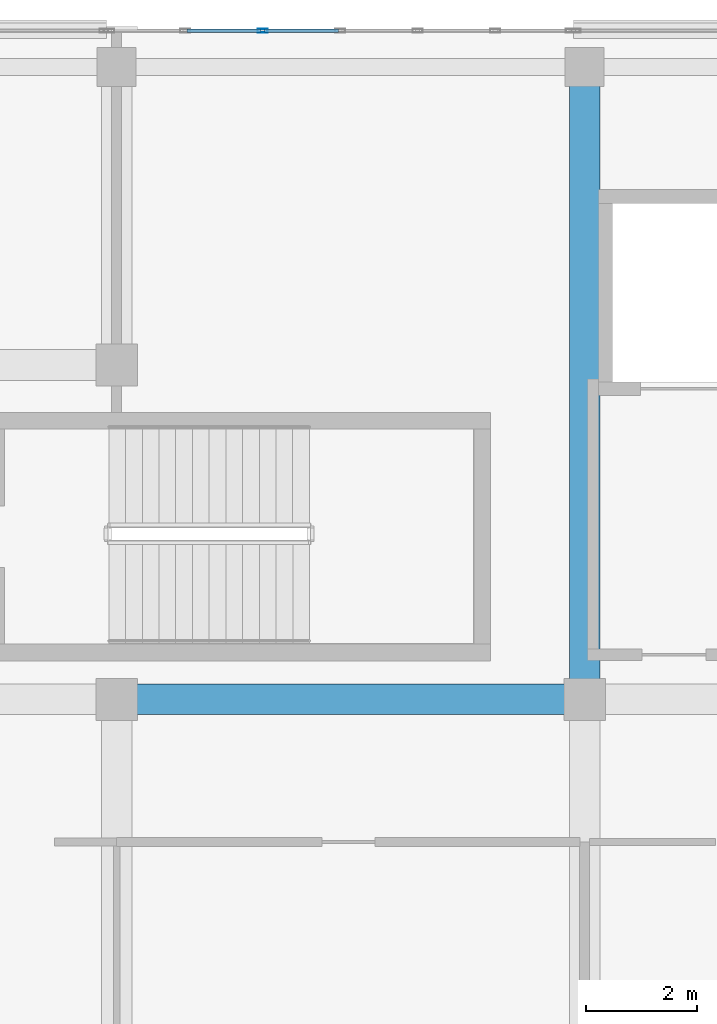
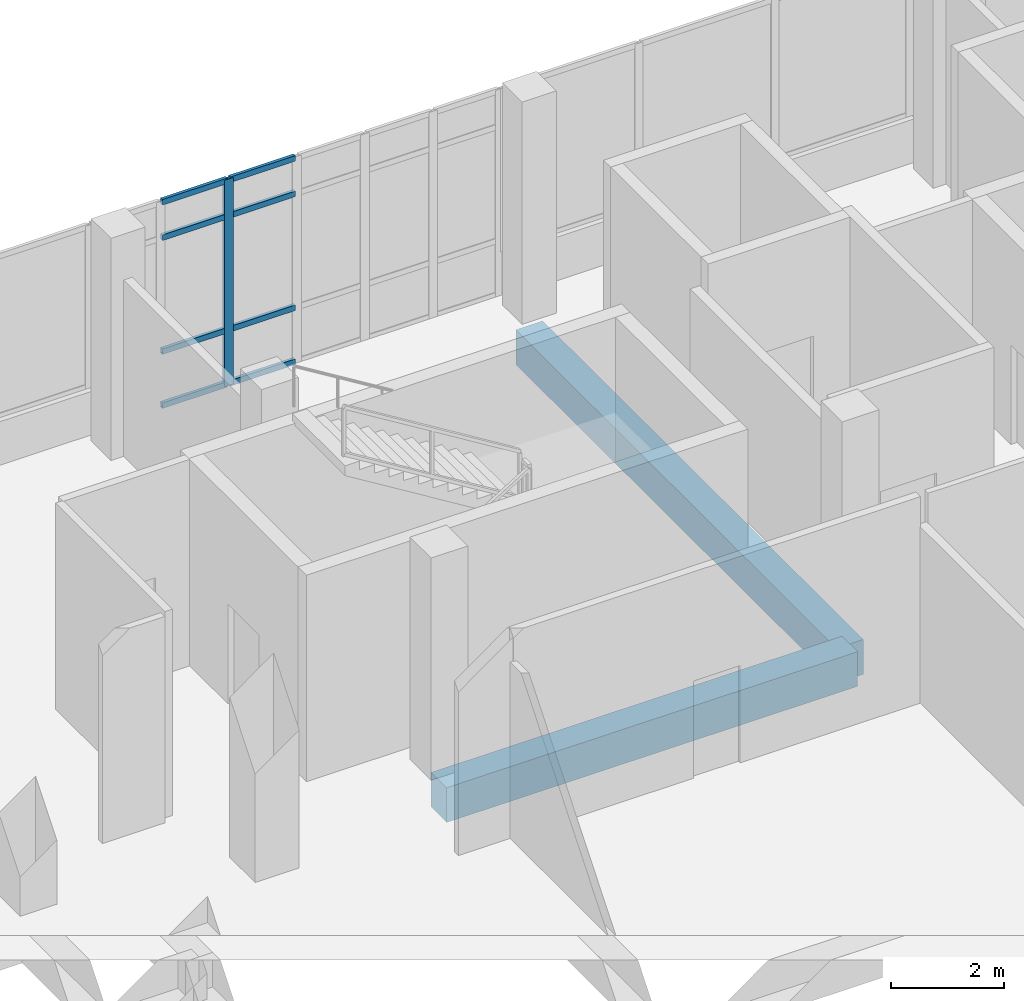
# One storey, part 83 of 155: 9 members, 2 beams, 1 element without a shape of its own.
"""IFC4 building model written with IfcOpenShell, lengths in metres."""

from ifc_helpers import new_model, si_unit, direction, frame, origin, origin_2d, place, context, subcontext, project, spatial, rectangle, hollow_rectangle, extrude, material, material_profile, profile_set, type_object, element, aggregate, save


model = new_model("IFC4")

# Units and contexts
model_context = context("Model", 3, precision=1e-05, world=origin(), true_north=direction((0.0, 1.0)))
body_context = subcontext(model_context, "Body", "Model", "MODEL_VIEW")
ifc_project = project(units=[si_unit("LENGTHUNIT", "METRE"), si_unit("AREAUNIT", "SQUARE_METRE"), si_unit("VOLUMEUNIT", "CUBIC_METRE"), si_unit("PLANEANGLEUNIT", "RADIAN"), si_unit("MASSUNIT", "GRAM", prefix="KILO")], contexts=[model_context])

# Site, building, storey
site_placement = place(None, origin())
site = spatial("IfcSite", under=ifc_project, at=site_placement, CompositionType="ELEMENT")
building_placement = place(site_placement, origin())
building = spatial("IfcBuilding", under=site, at=building_placement, Name="Selatvlak General Hospital", CompositionType="ELEMENT")
storey_placement = place(building_placement, frame((0.0, 0.0, 10.199951171875)))
storey = spatial("IfcBuildingStorey", under=building, at=storey_placement, Name="L02", CompositionType="ELEMENT", Elevation=10.199951171875)

# Beams
ifc_material_1 = material(Name="Concrete C40/50", Category="concrete")
ifc_material_profile_1 = material_profile(ifc_material_1, rectangle(XDim=0.550048828125, YDim=0.75, at=origin_2d()), Name="RC-BM 550x750")
ifc_profile_set_1 = profile_set([ifc_material_profile_1], Name="Concrete C40/50")
beam_type = type_object("IfcBeamType", Name="BM-G02", PredefinedType="BEAM", material=ifc_profile_set_1)
beam_1_placement = place(storey_placement, frame((90.0, 108.0, -0.72998046875), z_axis=(1.0, 0.0, 0.0), x_axis=(0.0, 1.0, 0.0)))
element("IfcBeam", 1, at=beam_1_placement, inside=storey, type_object=beam_type, Name="Beam BMR-L02-0888", PredefinedType="BEAM", context=body_context, shape_type="SweptSolid", body=[
    extrude(rectangle(XDim=0.550048828125, YDim=0.75, at=origin_2d()), origin(), (0.0, 0.0, 1.0), 8.39990234375),
])
beam_2_placement = place(storey_placement, frame((98.39990234375, 108.0, -0.72998046875), z_axis=(0.0, 1.0, 0.0), x_axis=(-1.0, 0.0, 0.0)))
element("IfcBeam", 2, at=beam_2_placement, inside=storey, type_object=beam_type, Name="Beam BMR-L02-1000", PredefinedType="BEAM", context=body_context, shape_type="SweptSolid", body=[
    extrude(rectangle(XDim=0.550048828125, YDim=0.75, at=origin_2d()), origin(), (0.0, 0.0, 1.0), 11.35009765625),
])

# Curtain wall, members
ifc_material_2 = material(Name="Solar-control Low-E double glazing", Category="glass")
curtain_wall_type = type_object("IfcCurtainWallType", Name="CW-CW-04", PredefinedType="USERDEFINED", material=ifc_material_2)
curtain_wall_placement = place(storey_placement, origin())
curtain_wall = element("IfcCurtainWall", 3, at=curtain_wall_placement, inside=storey, type_object=curtain_wall_type, Name="Glazed facade curtain wall CW-L02-0252", ObjectType="STICK GLAZING WALL", PredefinedType="USERDEFINED")
ifc_material_3 = material(Name="Dark anodised aluminium mullion", Category="aluminium")
ifc_material_profile_2 = material_profile(ifc_material_3, hollow_rectangle(XDim=0.06494140625, YDim=0.179931640625, WallThickness=0.00439453125, at=origin_2d()), Name="AL-MUL 65x180x4.5")
ifc_profile_set_2 = profile_set([ifc_material_profile_2], Name="Dark anodised aluminium mullion")
member_type_1 = type_object("IfcMemberType", Name="CWM-02", PredefinedType="MULLION", material=ifc_profile_set_2)
member_1_placement = place(storey_placement, frame((92.618408203125, 119.9990234375, 0.0), z_axis=(0.0, 0.0, 1.0), x_axis=(0.0, 1.0, 0.0)))
member_1 = element("IfcMember", 4, at=member_1_placement, type_object=member_type_1, Name="CW-04 mullion 3", PredefinedType="MULLION", context=body_context, shape_type="SweptSolid", body=[
    extrude(hollow_rectangle(XDim=0.06494140625, YDim=0.179931640625, WallThickness=0.00439453125, at=origin_2d()), origin(), (0.0, 0.0, 1.0), 4.4599609375),
])
ifc_material_profile_3 = material_profile(ifc_material_3, hollow_rectangle(XDim=0.06494140625, YDim=0.1201171875, WallThickness=0.00390625, at=origin_2d()), Name="AL-TRN 65x120x4")
ifc_profile_set_3 = profile_set([ifc_material_profile_3], Name="Dark anodised aluminium mullion")
member_type_2 = type_object("IfcMemberType", Name="CWT-01", PredefinedType="USERDEFINED", material=ifc_profile_set_3)
member_2_placement = place(storey_placement, frame((91.25927734375, 119.9990234375, 0.032470703125), z_axis=(1.0, 0.0, 0.0), x_axis=(0.0, 1.0, 0.0)))
member_2 = element("IfcMember", 5, at=member_2_placement, type_object=member_type_2, Name="CW-04 transom 2.1", ObjectType="TRANSOM", PredefinedType="USERDEFINED", context=body_context, shape_type="SweptSolid", body=[
    extrude(hollow_rectangle(XDim=0.06494140625, YDim=0.1201171875, WallThickness=0.00390625, at=origin_2d()), origin(), (0.0, 0.0, 1.0), 1.32666015625),
])
member_3_placement = place(storey_placement, frame((91.25927734375, 119.9990234375, 1.199951171875), z_axis=(1.0, 0.0, 0.0), x_axis=(0.0, 1.0, 0.0)))
member_3 = element("IfcMember", 6, at=member_3_placement, type_object=member_type_2, Name="CW-04 transom 2.2", ObjectType="TRANSOM", PredefinedType="USERDEFINED", context=body_context, shape_type="SweptSolid", body=[
    extrude(hollow_rectangle(XDim=0.06494140625, YDim=0.1201171875, WallThickness=0.00390625, at=origin_2d()), origin(), (0.0, 0.0, 1.0), 1.32666015625),
])
member_4_placement = place(storey_placement, frame((91.25927734375, 119.9990234375, 3.66015625), z_axis=(1.0, 0.0, 0.0), x_axis=(0.0, 1.0, 0.0)))
member_4 = element("IfcMember", 7, at=member_4_placement, type_object=member_type_2, Name="CW-04 transom 2.3", ObjectType="TRANSOM", PredefinedType="USERDEFINED", context=body_context, shape_type="SweptSolid", body=[
    extrude(hollow_rectangle(XDim=0.06494140625, YDim=0.1201171875, WallThickness=0.00390625, at=origin_2d()), origin(), (0.0, 0.0, 1.0), 1.32666015625),
])
member_5_placement = place(storey_placement, frame((91.25927734375, 119.9990234375, 4.427490234375), z_axis=(1.0, 0.0, 0.0), x_axis=(0.0, 1.0, 0.0)))
member_5 = element("IfcMember", 8, at=member_5_placement, type_object=member_type_2, Name="CW-04 transom 2.4", ObjectType="TRANSOM", PredefinedType="USERDEFINED", context=body_context, shape_type="SweptSolid", body=[
    extrude(hollow_rectangle(XDim=0.06494140625, YDim=0.1201171875, WallThickness=0.00390625, at=origin_2d()), origin(), (0.0, 0.0, 1.0), 1.32666015625),
])
member_6_placement = place(storey_placement, frame((92.65087890625, 119.9990234375, 0.032470703125), z_axis=(1.0, 0.0, 0.0), x_axis=(0.0, 1.0, 0.0)))
member_6 = element("IfcMember", 9, at=member_6_placement, type_object=member_type_2, Name="CW-04 transom 3.1", ObjectType="TRANSOM", PredefinedType="USERDEFINED", context=body_context, shape_type="SweptSolid", body=[
    extrude(hollow_rectangle(XDim=0.06494140625, YDim=0.1201171875, WallThickness=0.00390625, at=origin_2d()), origin(), (0.0, 0.0, 1.0), 1.32666015625),
])
member_7_placement = place(storey_placement, frame((92.65087890625, 119.9990234375, 1.199951171875), z_axis=(1.0, 0.0, 0.0), x_axis=(0.0, 1.0, 0.0)))
member_7 = element("IfcMember", 10, at=member_7_placement, type_object=member_type_2, Name="CW-04 transom 3.2", ObjectType="TRANSOM", PredefinedType="USERDEFINED", context=body_context, shape_type="SweptSolid", body=[
    extrude(hollow_rectangle(XDim=0.06494140625, YDim=0.1201171875, WallThickness=0.00390625, at=origin_2d()), origin(), (0.0, 0.0, 1.0), 1.32666015625),
])
member_8_placement = place(storey_placement, frame((92.65087890625, 119.9990234375, 3.66015625), z_axis=(1.0, 0.0, 0.0), x_axis=(0.0, 1.0, 0.0)))
member_8 = element("IfcMember", 11, at=member_8_placement, type_object=member_type_2, Name="CW-04 transom 3.3", ObjectType="TRANSOM", PredefinedType="USERDEFINED", context=body_context, shape_type="SweptSolid", body=[
    extrude(hollow_rectangle(XDim=0.06494140625, YDim=0.1201171875, WallThickness=0.00390625, at=origin_2d()), origin(), (0.0, 0.0, 1.0), 1.32666015625),
])
member_9_placement = place(storey_placement, frame((92.65087890625, 119.9990234375, 4.427490234375), z_axis=(1.0, 0.0, 0.0), x_axis=(0.0, 1.0, 0.0)))
member_9 = element("IfcMember", 12, at=member_9_placement, type_object=member_type_2, Name="CW-04 transom 3.4", ObjectType="TRANSOM", PredefinedType="USERDEFINED", context=body_context, shape_type="SweptSolid", body=[
    extrude(hollow_rectangle(XDim=0.06494140625, YDim=0.1201171875, WallThickness=0.00390625, at=origin_2d()), origin(), (0.0, 0.0, 1.0), 1.32666015625),
])
aggregate(curtain_wall, [member_1, member_2, member_3, member_4, member_5, member_6, member_7, member_8, member_9])

save(model, "model.ifc")
